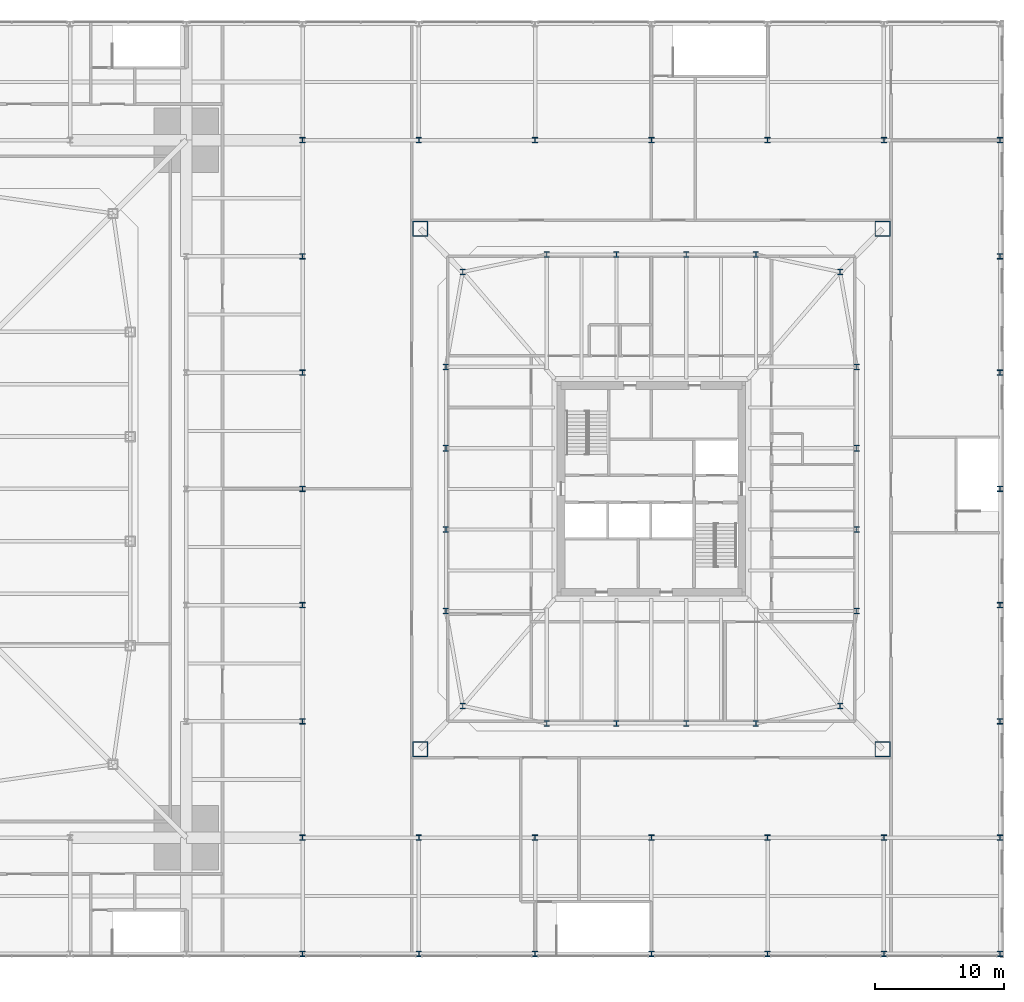
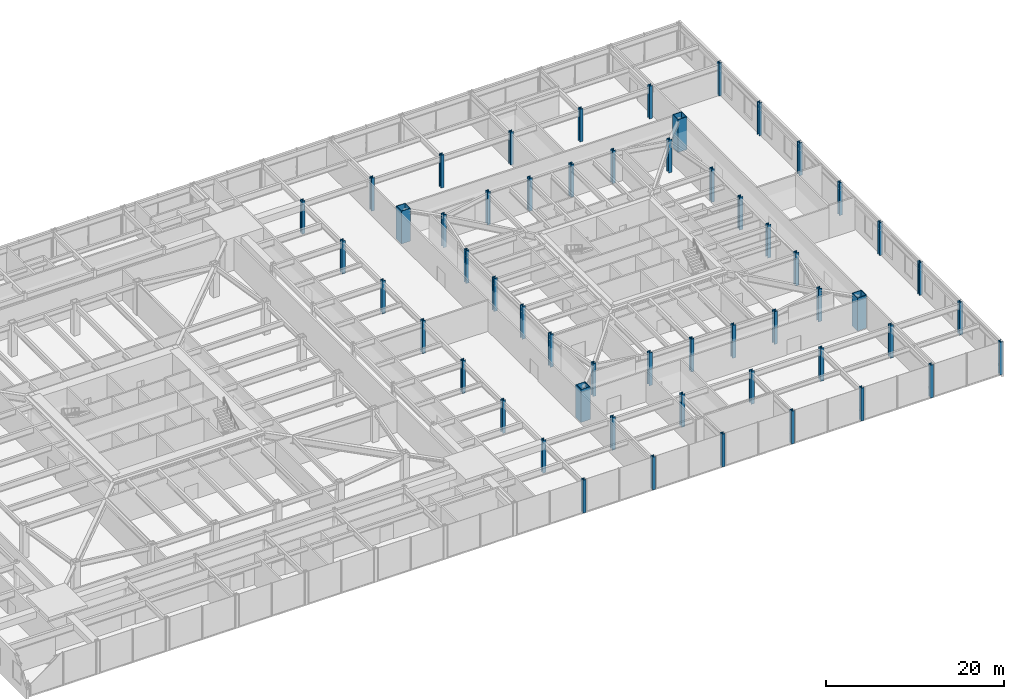
# One storey, part 3 of 30: 55 columns.
"""IFC4 building model written with IfcOpenShell, lengths in metres."""

from ifc_helpers import new_model, si_unit, direction, frame, origin, origin_2d, place, context, subcontext, project, spatial, hollow_rectangle, i_section, extrude, material, material_profile, profile_set, type_object, element, save


model = new_model("IFC4")

# Units and contexts
model_context = context("Model", 3, precision=1e-05, world=origin(), true_north=direction((0.0, 1.0)))
body_context = subcontext(model_context, "Body", "Model", "MODEL_VIEW")
ifc_project = project(units=[si_unit("LENGTHUNIT", "METRE"), si_unit("AREAUNIT", "SQUARE_METRE"), si_unit("VOLUMEUNIT", "CUBIC_METRE"), si_unit("PLANEANGLEUNIT", "RADIAN"), si_unit("MASSUNIT", "GRAM", prefix="KILO")], contexts=[model_context])

# Site, building, storey
site_placement = place(None, origin())
site = spatial("IfcSite", under=ifc_project, at=site_placement, CompositionType="ELEMENT")
building_placement = place(site_placement, origin())
building = spatial("IfcBuilding", under=site, at=building_placement, Name="Iwan Alto Co-Living Towers", CompositionType="ELEMENT")
storey_placement = place(building_placement, frame((0.0, 0.0, 10.5)))
storey = spatial("IfcBuildingStorey", under=building, at=storey_placement, Name="L02", CompositionType="ELEMENT", Elevation=10.5)

# Columns
ifc_material_1 = material(Name="Steel ASTM A992 Gr 50", Category="steel")
ifc_material_profile_1 = material_profile(ifc_material_1, i_section(OverallWidth=0.411376953125, OverallDepth=0.434326171875, WebThickness=0.035888671875, FlangeThickness=0.057373046875, at=origin_2d()), Name="W14X311")
ifc_profile_set_1 = profile_set([ifc_material_profile_1], Name="Steel ASTM A992 Gr 50")
column_type_1 = type_object("IfcColumnType", Name="PODIUM COLUMN W14X311", PredefinedType="COLUMN", material=ifc_profile_set_1)
for number, where, z_axis, x_axis, name in (
    (1, (36.0, -36.0, 0.0), (0.0, 0.0, 1.0), (1.0, 0.0, 0.0), "Podium column 9/A L02"),
    (2, (36.0, -27.0, 0.0), (0.0, 0.0, 1.0), (1.0, 0.0, 0.0), "Podium column 9/B L02"),
    (3, (36.0, -18.0, 0.0), (0.0, 0.0, 1.0), (1.0, 0.0, 0.0), "Podium column 9/C L02"),
    (4, (36.0, -9.0, 0.0), (0.0, 0.0, 1.0), (1.0, 0.0, 0.0), "Podium column 9/D L02"),
    (5, (36.0, 0.0, 0.0), (0.0, 0.0, 1.0), (1.0, 0.0, 0.0), "Podium column 9/E L02"),
    (6, (36.0, 9.0, 0.0), (0.0, 0.0, 1.0), (1.0, 0.0, 0.0), "Podium column 9/F L02"),
    (7, (36.0, 18.0, 0.0), (0.0, 0.0, 1.0), (1.0, 0.0, 0.0), "Podium column 9/G L02"),
    (8, (36.0, 27.0, 0.0), (0.0, 0.0, 1.0), (1.0, 0.0, 0.0), "Podium column 9/H L02"),
    (9, (45.0, -36.0, 0.0), (0.0, 0.0, 1.0), (1.0, 0.0, 0.0), "Podium column 10/A L02"),
    (10, (45.0, -27.0, 0.0), (0.0, 0.0, 1.0), (1.0, 0.0, 0.0), "Podium column 10/B L02"),
    (11, (45.0, 27.0, 0.0), (0.0, 0.0, 1.0), (1.0, 0.0, 0.0), "Podium column 10/H L02"),
    (12, (54.0, -36.0, 0.0), (0.0, 0.0, 1.0), (1.0, 0.0, 0.0), "Podium column 11/A L02"),
    (13, (54.0, -27.0, 0.0), (0.0, 0.0, 1.0), (1.0, 0.0, 0.0), "Podium column 11/B L02"),
    (14, (54.0, 27.0, 0.0), (0.0, 0.0, 1.0), (1.0, 0.0, 0.0), "Podium column 11/H L02"),
    (15, (63.0, -36.0, 0.0), (0.0, 0.0, 1.0), (1.0, 0.0, 0.0), "Podium column 12/A L02"),
    (16, (63.0, -27.0, 0.0), (0.0, 0.0, 1.0), (1.0, 0.0, 0.0), "Podium column 12/B L02"),
    (17, (63.0, 27.0, 0.0), (0.0, 0.0, 1.0), (1.0, 0.0, 0.0), "Podium column 12/H L02"),
    (18, (72.0, -36.0, 0.0), (0.0, 0.0, 1.0), (1.0, 0.0, 0.0), "Podium column 13/A L02"),
    (19, (72.0, -27.0, 0.0), (0.0, 0.0, 1.0), (1.0, 0.0, 0.0), "Podium column 13/B L02"),
    (20, (72.0, 27.0, 0.0), (0.0, 0.0, 1.0), (1.0, 0.0, 0.0), "Podium column 13/H L02"),
    (21, (81.0, -36.0, 0.0), (0.0, 0.0, 1.0), (1.0, 0.0, 0.0), "Podium column 14/A L02"),
    (22, (81.0, -27.0, 0.0), (0.0, 0.0, 1.0), (1.0, 0.0, 0.0), "Podium column 14/B L02"),
    (23, (81.0, 27.0, 0.0), (0.0, 0.0, 1.0), (1.0, 0.0, 0.0), "Podium column 14/H L02"),
    (24, (90.0, -36.0, 0.0), (0.0, 0.0, 1.0), (1.0, 0.0, 0.0), "Podium column 15/A L02"),
    (25, (90.0, -27.0, 0.0), (0.0, 0.0, 1.0), (1.0, 0.0, 0.0), "Podium column 15/B L02"),
    (26, (90.0, -18.0, 0.0), (0.0, 0.0, 1.0), (1.0, 0.0, 0.0), "Podium column 15/C L02"),
    (27, (90.0, -9.0, 0.0), (0.0, 0.0, 1.0), (1.0, 0.0, 0.0), "Podium column 15/D L02"),
    (28, (90.0, 0.0, 0.0), (0.0, 0.0, 1.0), (1.0, 0.0, 0.0), "Podium column 15/E L02"),
    (29, (90.0, 9.0, 0.0), (0.0, 0.0, 1.0), (1.0, 0.0, 0.0), "Podium column 15/F L02"),
    (30, (90.0, 18.0, 0.0), (0.0, 0.0, 1.0), (1.0, 0.0, 0.0), "Podium column 15/G L02"),
    (31, (90.0, 27.0, 0.0), (0.0, 0.0, 1.0), (1.0, 0.0, 0.0), "Podium column 15/H L02"),
):
    element("IfcColumn", number, at=place(storey_placement, frame(where, z_axis=z_axis, x_axis=x_axis)), inside=storey, type_object=column_type_1, Name=name, PredefinedType="COLUMN", context=body_context, shape_type="SweptSolid", body=[
        extrude(i_section(OverallWidth=0.411376953125, OverallDepth=0.434326171875, WebThickness=0.035888671875, FlangeThickness=0.057373046875, at=origin_2d()), origin(), (0.0, 0.0, 1.0), 4.5),
    ])
ifc_material_2 = material(Name="Steel ASTM A572 Gr 50", Category="steel")
ifc_material_profile_2 = material_profile(ifc_material_2, hollow_rectangle(XDim=1.199951171875, YDim=1.199951171875, WallThickness=0.070068359375, at=origin_2d()), Name="BOX 1200X1200X70")
ifc_profile_set_2 = profile_set([ifc_material_profile_2], Name="Steel ASTM A572 Gr 50")
column_type_2 = type_object("IfcColumnType", Name="T2 MEGA COLUMN BOX 1200X1200X70", PredefinedType="COLUMN", material=ifc_profile_set_2)
for number, where, z_axis, x_axis, name in (
    (32, (45.10009765625, -20.14990234375, 0.0), (0.0, 0.0, 1.0), (1.0, 0.0, 0.0), "T2 mega column SW L02"),
    (33, (80.89990234375, -20.14990234375, 0.0), (0.0, 0.0, 1.0), (1.0, 0.0, 0.0), "T2 mega column SE L02"),
    (34, (80.89990234375, 20.14990234375, 0.0), (0.0, 0.0, 1.0), (1.0, 0.0, 0.0), "T2 mega column NE L02"),
    (35, (45.10009765625, 20.14990234375, 0.0), (0.0, 0.0, 1.0), (1.0, 0.0, 0.0), "T2 mega column NW L02"),
):
    element("IfcColumn", number, at=place(storey_placement, frame(where, z_axis=z_axis, x_axis=x_axis)), inside=storey, type_object=column_type_2, Name=name, PredefinedType="COLUMN", context=body_context, shape_type="SweptSolid", body=[
        extrude(hollow_rectangle(XDim=1.199951171875, YDim=1.199951171875, WallThickness=0.070068359375, at=origin_2d()), origin(), (0.0, 0.0, 1.0), 4.5),
    ])
ifc_material_3 = material(Name="Steel ASTM A992 Gr 50", Category="steel")
ifc_material_profile_3 = material_profile(ifc_material_3, i_section(OverallWidth=0.424072265625, OverallDepth=0.47509765625, WebThickness=0.0478515625, FlangeThickness=0.0771484375, at=origin_2d()), Name="W14X426")
ifc_profile_set_3 = profile_set([ifc_material_profile_3], Name="Steel ASTM A992 Gr 50")
column_type_3 = type_object("IfcColumnType", Name="T2 RING COLUMN W14X426", PredefinedType="COLUMN", material=ifc_profile_set_3)
for number, where, z_axis, x_axis, name in (
    (36, (48.393798828125, -16.797119140625, 0.0), (0.0, 0.0, 1.0), (1.0, 0.0, 0.0), "T2 ring column CSW L02"),
    (37, (54.89990234375, -18.14990234375, 0.0), (0.0, 0.0, 1.0), (1.0, 0.0, 0.0), "T2 ring column S1 L02"),
    (38, (60.300048828125, -18.14990234375, 0.0), (0.0, 0.0, 1.0), (1.0, 0.0, 0.0), "T2 ring column S2 L02"),
    (39, (65.699951171875, -18.14990234375, 0.0), (0.0, 0.0, 1.0), (1.0, 0.0, 0.0), "T2 ring column S3 L02"),
    (40, (71.10009765625, -18.14990234375, 0.0), (0.0, 0.0, 1.0), (1.0, 0.0, 0.0), "T2 ring column S4 L02"),
    (41, (77.606201171875, -16.797119140625, 0.0), (0.0, 0.0, 1.0), (1.0, 0.0, 0.0), "T2 ring column CSE L02"),
    (42, (78.89990234375, -9.449951171875, 0.0), (0.0, 0.0, 1.0), (1.0, 0.0, 0.0), "T2 ring column E1 L02"),
    (43, (78.89990234375, -3.14990234375, 0.0), (0.0, 0.0, 1.0), (1.0, 0.0, 0.0), "T2 ring column E2 L02"),
    (44, (78.89990234375, 3.14990234375, 0.0), (0.0, 0.0, 1.0), (1.0, 0.0, 0.0), "T2 ring column E3 L02"),
    (45, (78.89990234375, 9.449951171875, 0.0), (0.0, 0.0, 1.0), (1.0, 0.0, 0.0), "T2 ring column E4 L02"),
    (46, (77.606201171875, 16.797119140625, 0.0), (0.0, 0.0, 1.0), (1.0, 0.0, 0.0), "T2 ring column CNE L02"),
    (47, (71.10009765625, 18.14990234375, 0.0), (0.0, 0.0, 1.0), (1.0, 0.0, 0.0), "T2 ring column N1 L02"),
    (48, (65.699951171875, 18.14990234375, 0.0), (0.0, 0.0, 1.0), (1.0, 0.0, 0.0), "T2 ring column N2 L02"),
    (49, (60.300048828125, 18.14990234375, 0.0), (0.0, 0.0, 1.0), (1.0, 0.0, 0.0), "T2 ring column N3 L02"),
    (50, (54.89990234375, 18.14990234375, 0.0), (0.0, 0.0, 1.0), (1.0, 0.0, 0.0), "T2 ring column N4 L02"),
    (51, (48.393798828125, 16.797119140625, 0.0), (0.0, 0.0, 1.0), (1.0, 0.0, 0.0), "T2 ring column CNW L02"),
    (52, (47.10009765625, 9.449951171875, 0.0), (0.0, 0.0, 1.0), (1.0, 0.0, 0.0), "T2 ring column W1 L02"),
    (53, (47.10009765625, 3.14990234375, 0.0), (0.0, 0.0, 1.0), (1.0, 0.0, 0.0), "T2 ring column W2 L02"),
    (54, (47.10009765625, -3.14990234375, 0.0), (0.0, 0.0, 1.0), (1.0, 0.0, 0.0), "T2 ring column W3 L02"),
    (55, (47.10009765625, -9.449951171875, 0.0), (0.0, 0.0, 1.0), (1.0, 0.0, 0.0), "T2 ring column W4 L02"),
):
    element("IfcColumn", number, at=place(storey_placement, frame(where, z_axis=z_axis, x_axis=x_axis)), inside=storey, type_object=column_type_3, Name=name, PredefinedType="COLUMN", context=body_context, shape_type="SweptSolid", body=[
        extrude(i_section(OverallWidth=0.424072265625, OverallDepth=0.47509765625, WebThickness=0.0478515625, FlangeThickness=0.0771484375, at=origin_2d()), origin(), (0.0, 0.0, 1.0), 4.5),
    ])

save(model, "model.ifc")
